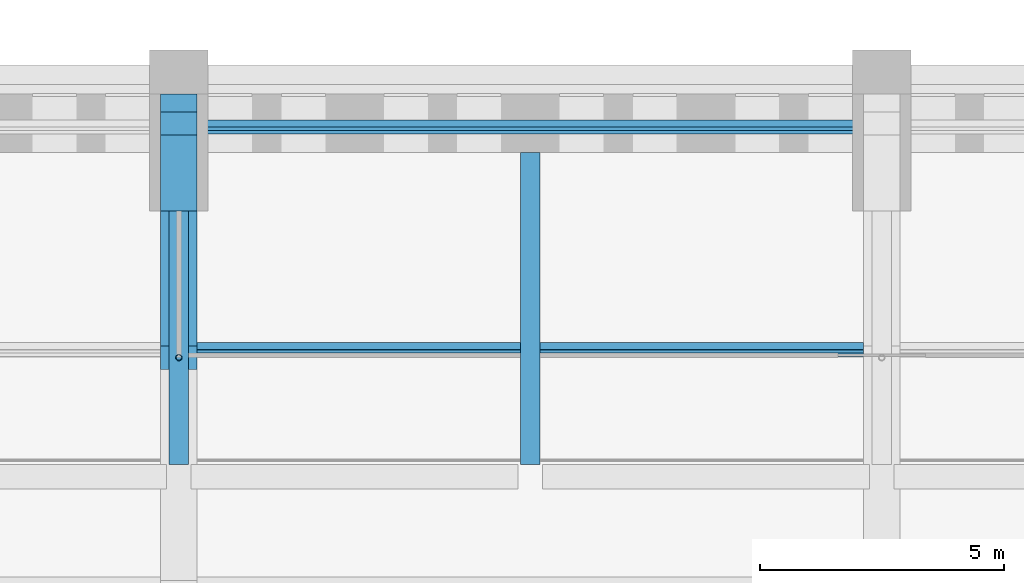
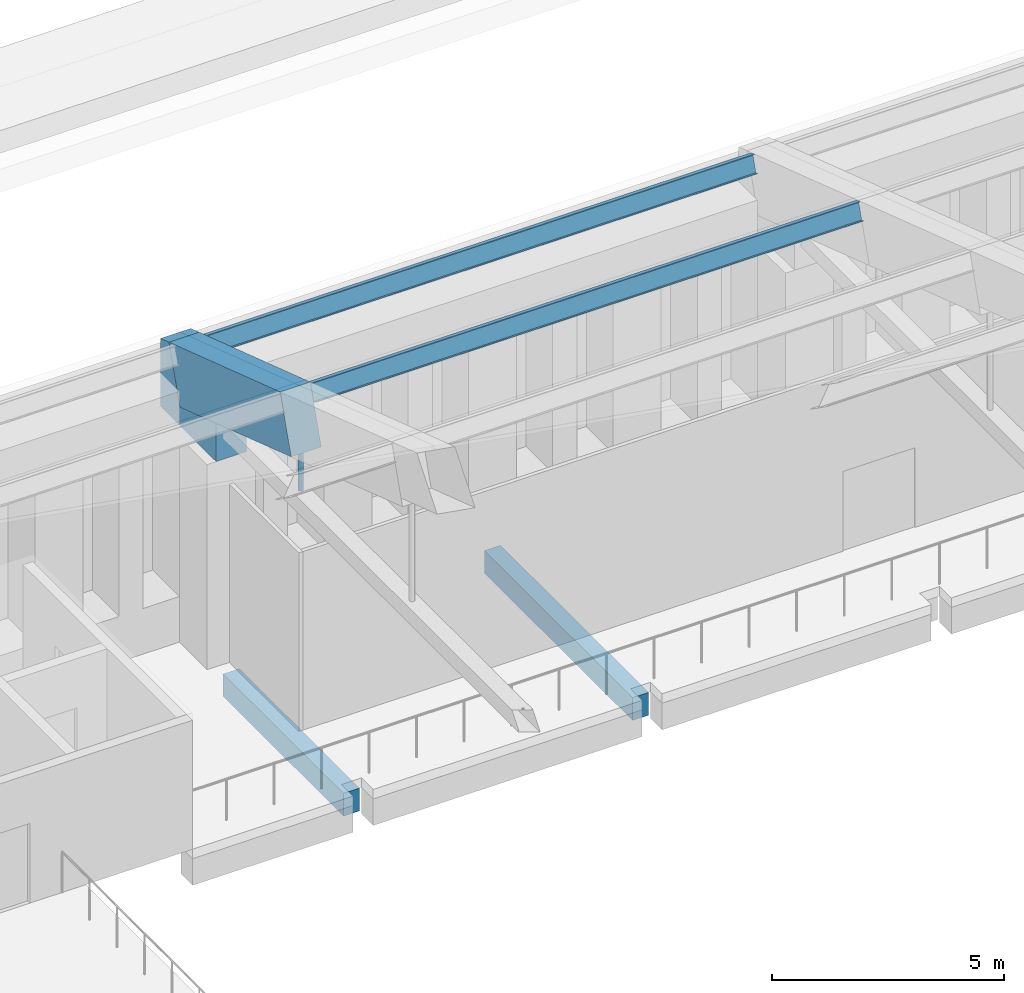
# One storey, part 48 of 149: 4 members, 3 beams.
"""IFC4 building model written with IfcOpenShell, lengths in metres."""

from ifc_helpers import new_model, si_unit, direction, frame, origin, origin_2d, place, context, subcontext, project, spatial, polyline, rectangle, hollow_circle, i_section, outline, extrude, material, material_profile, profile_set, type_object, element, save


model = new_model("IFC4")

# Units and contexts
model_context = context("Model", 3, precision=1e-05, world=origin(), true_north=direction((0.0, 1.0)))
body_context = subcontext(model_context, "Body", "Model", "MODEL_VIEW")
ifc_project = project(units=[si_unit("LENGTHUNIT", "METRE"), si_unit("AREAUNIT", "SQUARE_METRE"), si_unit("VOLUMEUNIT", "CUBIC_METRE"), si_unit("PLANEANGLEUNIT", "RADIAN"), si_unit("MASSUNIT", "GRAM", prefix="KILO")], contexts=[model_context])

# Site, building, storey
site_placement = place(None, origin())
site = spatial("IfcSite", under=ifc_project, at=site_placement, CompositionType="ELEMENT")
building_placement = place(site_placement, origin())
building = spatial("IfcBuilding", under=site, at=building_placement, Name="Alderwick Market Hall", CompositionType="ELEMENT")
storey_placement = place(building_placement, frame((0.0, 0.0, 9.60009765625)))
storey = spatial("IfcBuildingStorey", under=building, at=storey_placement, Name="L01", CompositionType="ELEMENT", Elevation=9.60009765625)

# Beams
ifc_material_1 = material(Name="Concrete 5000 psi (f'c 35 MPa)", Category="concrete")
ifc_material_profile_1 = material_profile(ifc_material_1, rectangle(XDim=0.39990234375, YDim=0.60009765625, at=origin_2d()), Name="RC 400x600")
ifc_profile_set_1 = profile_set([ifc_material_profile_1], Name="Concrete 5000 psi (f'c 35 MPa)")
beam_type_1 = type_object("IfcBeamType", Name="H Gallery beam 400x600", PredefinedType="BEAM", material=ifc_profile_set_1)
beam_1_placement = place(storey_placement, frame((64.800048828125, 106.199951171875, -0.550048828125), z_axis=(0.0, -1.0, 0.0), x_axis=(1.0, 0.0, 0.0)))
element("IfcBeam", 1, at=beam_1_placement, inside=storey, type_object=beam_type_1, Name="Gallery beam N", PredefinedType="BEAM", context=body_context, shape_type="SweptSolid", body=[
    extrude(rectangle(XDim=0.39990234375, YDim=0.60009765625, at=origin_2d()), origin(), (0.0, 0.0, 1.0), 5.18994140625),
])
beam_2_placement = place(storey_placement, frame((72.0, 107.39990234375, -0.550048828125), z_axis=(0.0, -1.0, 0.0), x_axis=(1.0, 0.0, 0.0)))
element("IfcBeam", 2, at=beam_2_placement, inside=storey, type_object=beam_type_1, Name="Gallery beam N", PredefinedType="BEAM", context=body_context, shape_type="SweptSolid", body=[
    extrude(rectangle(XDim=0.39990234375, YDim=0.60009765625, at=origin_2d()), origin(), (0.0, 0.0, 1.0), 6.389892578125),
])
ifc_material_profile_2 = material_profile(ifc_material_1, rectangle(XDim=0.75, YDim=1.5, at=origin_2d()), Name="RC 750x1500")
ifc_profile_set_2 = profile_set([ifc_material_profile_2], Name="Concrete 5000 psi (f'c 35 MPa)")
beam_type_2 = type_object("IfcBeamType", Name="R Arch Rib Springing 750x1500", PredefinedType="BEAM", material=ifc_profile_set_2)
beam_3_placement = place(storey_placement, frame((64.800048828125, 103.199951171875, 8.199951171875), z_axis=(0.0, 0.948678472761, -0.316242241517), x_axis=(-1.0, 0.0, 0.0)))
element("IfcBeam", 3, at=beam_3_placement, inside=storey, type_object=beam_type_2, Name="Arch rib 2 chord 12", PredefinedType="BEAM", context=body_context, shape_type="SweptSolid", body=[
    extrude(rectangle(XDim=0.75, YDim=1.5, at=origin_2d()), origin(), (0.0, 0.0, 1.0), 5.059814453125),
])

# Members
ifc_material_2 = material(Name="Steel ASTM A500 Grade C", Category="steel")
ifc_material_profile_3 = material_profile(ifc_material_2, hollow_circle(Radius=0.0634765625, WallThickness=0.005859375, at=origin_2d()), Name="HSS5.000x0.250")
ifc_profile_set_3 = profile_set([ifc_material_profile_3], Name="Steel ASTM A500 Grade C")
member_type_1 = type_object("IfcMemberType", Name="R Hanger HSS5.000x0.250", PredefinedType="POST", material=ifc_profile_set_3)
member_1_placement = place(storey_placement, frame((64.800048828125, 103.199951171875, 6.35302734375), z_axis=(0.0, 0.0, 1.0), x_axis=(1.0, 0.0, 0.0)))
element("IfcMember", 4, at=member_1_placement, inside=storey, type_object=member_type_1, Name="Arch hanger 2.11", PredefinedType="POST", context=body_context, shape_type="SweptSolid", body=[
    extrude(hollow_circle(Radius=0.0634765625, WallThickness=0.005859375, at=origin_2d()), origin(), (0.0, 0.0, 1.0), 1.03515625),
])
ifc_material_3 = material(Name="Steel ASTM A992 Grade 50", Category="steel")
ifc_material_profile_4 = material_profile(ifc_material_3, i_section(OverallWidth=0.153076171875, OverallDepth=0.455078125, WebThickness=0.008056640625, FlangeThickness=0.01318359375, at=origin_2d()), Name="W18x40")
ifc_profile_set_4 = profile_set([ifc_material_profile_4], Name="Steel ASTM A992 Grade 50")
member_type_2 = type_object("IfcMemberType", Name="R Purlin W18x40", PredefinedType="PURLIN", material=ifc_profile_set_4)
for number, where, z_axis, x_axis, name in (
    (5, (65.175048828125, 103.36328125, 8.68994140625), (1.0, 0.0, 0.0), (0.0, 0.948683297073, -0.316227768949), "Roof purlin 12.2"),
    (6, (65.175048828125, 107.92626953125, 7.1689453125), (1.0, 0.0, 0.0), (0.0, 0.948683297073, -0.316227768949), "Roof purlin 13.2"),
):
    element("IfcMember", number, at=place(storey_placement, frame(where, z_axis=z_axis, x_axis=x_axis)), inside=storey, type_object=member_type_2, Name=name, PredefinedType="PURLIN", context=body_context, shape_type="SweptSolid", body=[
        extrude(i_section(OverallWidth=0.153076171875, OverallDepth=0.455078125, WebThickness=0.008056640625, FlangeThickness=0.01318359375, at=origin_2d()), origin(), (0.0, 0.0, 1.0), 13.64990234375),
    ])
ifc_material_profile_5 = material_profile(ifc_material_1, outline(polyline([(0.0, 0.0), (-2.39990234375, 0.0), (-2.39990234375, 1.009521484375), (-0.837158203125, 0.488525390625), (-0.36279296875, 1.91162109375), (0.0, 1.79052734375), (0.0, 0.0)])), Name="RC skewback N")
ifc_profile_set_5 = profile_set([ifc_material_profile_5], Name="Concrete 5000 psi (f'c 35 MPa)")
member_type_3 = type_object("IfcMemberType", Name="R Springing Skewback North", PredefinedType="MEMBER", material=ifc_profile_set_5)
member_2_placement = place(storey_placement, frame((64.425048828125, 108.60009765625, 5.39990234375), z_axis=(1.0, 0.0, 0.0), x_axis=(0.0, 1.0, 0.0)))
element("IfcMember", 7, at=member_2_placement, inside=storey, type_object=member_type_3, Name="Springing skewback N2", PredefinedType="MEMBER", context=body_context, shape_type="SweptSolid", body=[
    extrude(outline(polyline([(0.0, 0.0), (-2.39990234375, 0.0), (-2.39990234375, 1.009521484375), (-0.837158203125, 0.488525390625), (-0.36279296875, 1.91162109375), (0.0, 1.79052734375), (0.0, 0.0)])), origin(), (0.0, 0.0, 1.0), 0.75),
])

save(model, "model.ifc")
